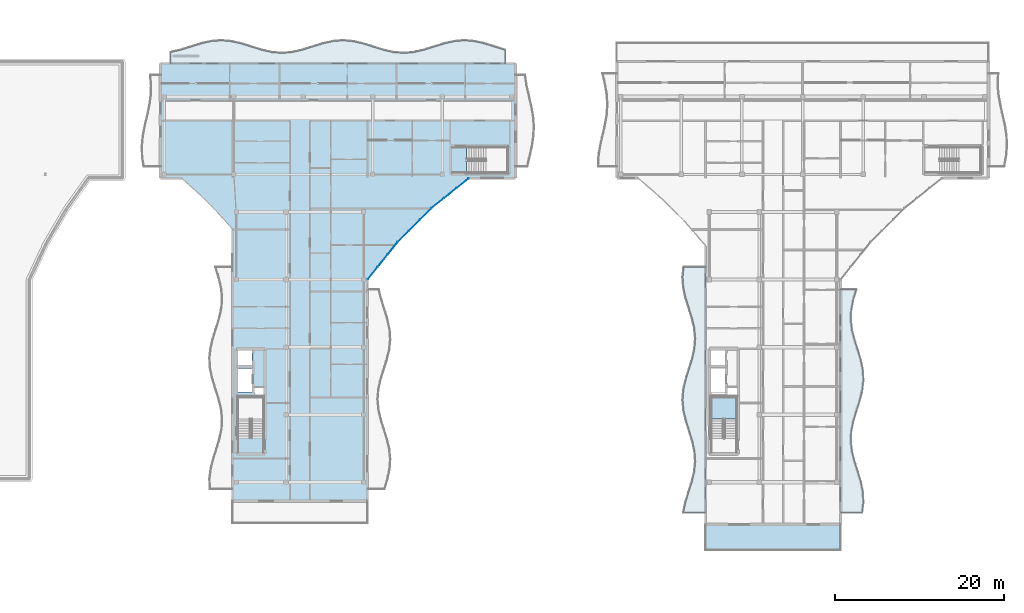
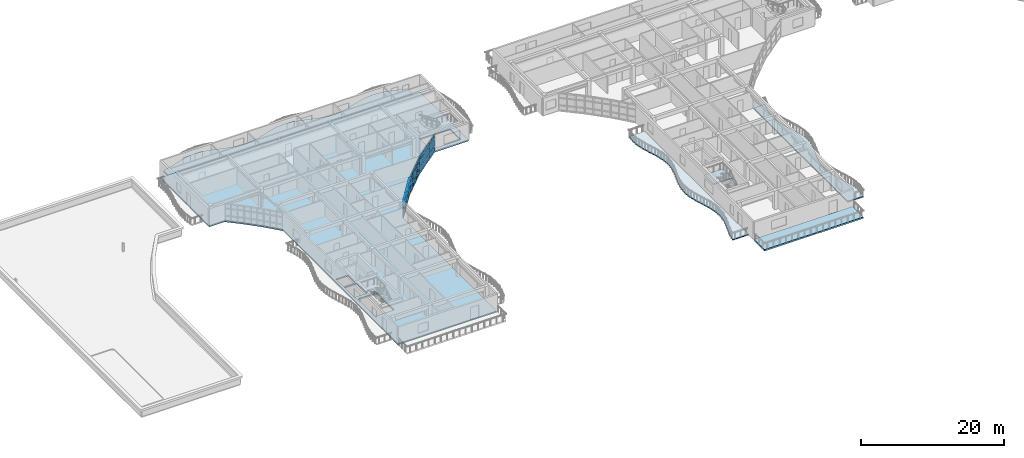
# One storey, part 21 of 54: 27 plates, 6 slabs, 4 elements without a shape of their own.
"""IFC4 building model written with IfcOpenShell, lengths in metres."""

from ifc_helpers import new_model, si_unit, direction, frame, origin, origin_2d, place, context, subcontext, project, spatial, polyline, rectangle, outline, extrude, material, layer, layer_set, type_object, element, aggregate, save


model = new_model("IFC4")

# Units and contexts
model_context = context("Model", 3, precision=1e-05, world=origin(), true_north=direction((0.0, 1.0)))
body_context = subcontext(model_context, "Body", "Model", "MODEL_VIEW")
ifc_project = project(units=[si_unit("LENGTHUNIT", "METRE"), si_unit("AREAUNIT", "SQUARE_METRE"), si_unit("VOLUMEUNIT", "CUBIC_METRE"), si_unit("PLANEANGLEUNIT", "RADIAN"), si_unit("MASSUNIT", "GRAM", prefix="KILO")], contexts=[model_context])

# Site, building, storey
site_placement = place(None, origin())
site = spatial("IfcSite", under=ifc_project, at=site_placement, CompositionType="ELEMENT")
building_placement = place(site_placement, origin())
building = spatial("IfcBuilding", under=site, at=building_placement, Name="Keldmere Railside Commons", CompositionType="ELEMENT")
storey_placement = place(building_placement, frame((0.0, 0.0, 26.56005859375)))
storey = spatial("IfcBuildingStorey", under=building, at=storey_placement, Name="L08", CompositionType="ELEMENT", Elevation=26.56005859375)

# Curtain wall, plates
ifc_material_1 = material(Name="Thermally Broken Aluminium", Category="aluminium")
ifc_layer_1 = layer(ifc_material_1, 0.159912109375, Name="Court Chord Wintergarden CW 4800x2850")
ifc_layer_set_1 = layer_set([ifc_layer_1], Name="Thermally Broken Aluminium")
curtain_wall_type_1 = type_object("IfcCurtainWallType", Name="Court Chord Wintergarden CW 4800x2850", PredefinedType="NOTDEFINED", material=ifc_layer_set_1)
curtain_wall_1_placement = place(storey_placement, origin())
curtain_wall_1 = element("IfcCurtainWall", 1, at=curtain_wall_1_placement, inside=storey, type_object=curtain_wall_type_1, Name="CW-12 CW-L08-073", PredefinedType="NOTDEFINED")
ifc_material_2 = material(Name="Low-E Insulated Double Glazing", Category="glass")
ifc_layer_2 = layer(ifc_material_2, 0.033935546875, Name="Acoustic Laminated Vision Panel 34")
ifc_layer_set_2 = layer_set([ifc_layer_2], Name="Low-E Insulated Double Glazing")
plate_type_1 = type_object("IfcPlateType", Name="Acoustic Laminated Vision Panel 34", PredefinedType="CURTAIN_PANEL", material=ifc_layer_set_2)
plate_1_placement = place(storey_placement, frame((66.951416015625, 91.678955078125, 0.06494140625), z_axis=(0.0, 0.0, 1.0), x_axis=(-0.625768080915, -0.780009172323, 0.0)))
plate_1 = element("IfcPlate", 2, at=plate_1_placement, type_object=plate_type_1, Name="CW-12 panel 1.1", PredefinedType="CURTAIN_PANEL", context=body_context, shape_type="SweptSolid", body=[
    extrude(rectangle(XDim=1.795654296875, YDim=0.033935546875, at=origin_2d()), origin(), (0.0, 0.0, 1.0), 0.802490234375),
])
plate_2_placement = place(storey_placement, frame((66.951416015625, 91.678955078125, 0.932373046875), z_axis=(0.0, 0.0, 1.0), x_axis=(-0.625768080915, -0.780009172323, 0.0)))
plate_2 = element("IfcPlate", 3, at=plate_2_placement, type_object=plate_type_1, Name="CW-12 panel 1.2", PredefinedType="CURTAIN_PANEL", context=body_context, shape_type="SweptSolid", body=[
    extrude(rectangle(XDim=1.795654296875, YDim=0.033935546875, at=origin_2d()), origin(), (0.0, 0.0, 1.0), 1.18505859375),
])
plate_3_placement = place(storey_placement, frame((66.951416015625, 91.678955078125, 2.182373046875), z_axis=(0.0, 0.0, 1.0), x_axis=(-0.625768080915, -0.780009172323, 0.0)))
plate_3 = element("IfcPlate", 4, at=plate_3_placement, type_object=plate_type_1, Name="CW-12 panel 1.3", PredefinedType="CURTAIN_PANEL", context=body_context, shape_type="SweptSolid", body=[
    extrude(rectangle(XDim=1.795654296875, YDim=0.033935546875, at=origin_2d()), origin(), (0.0, 0.0, 1.0), 0.732421875),
])
plate_4_placement = place(storey_placement, frame((65.777099609375, 90.215087890625, 0.06494140625), z_axis=(0.0, 0.0, 1.0), x_axis=(-0.625768080915, -0.780009172323, 0.0)))
plate_4 = element("IfcPlate", 5, at=plate_4_placement, type_object=plate_type_1, Name="CW-12 panel 2.1", PredefinedType="CURTAIN_PANEL", context=body_context, shape_type="SweptSolid", body=[
    extrude(rectangle(XDim=1.828125, YDim=0.033935546875, at=origin_2d()), origin(), (0.0, 0.0, 1.0), 0.802490234375),
])
plate_5_placement = place(storey_placement, frame((65.777099609375, 90.215087890625, 0.932373046875), z_axis=(0.0, 0.0, 1.0), x_axis=(-0.625768080915, -0.780009172323, 0.0)))
plate_5 = element("IfcPlate", 6, at=plate_5_placement, type_object=plate_type_1, Name="CW-12 panel 2.2", PredefinedType="CURTAIN_PANEL", context=body_context, shape_type="SweptSolid", body=[
    extrude(rectangle(XDim=1.828125, YDim=0.033935546875, at=origin_2d()), origin(), (0.0, 0.0, 1.0), 1.18505859375),
])
plate_6_placement = place(storey_placement, frame((65.777099609375, 90.215087890625, 2.182373046875), z_axis=(0.0, 0.0, 1.0), x_axis=(-0.625768080915, -0.780009172323, 0.0)))
plate_6 = element("IfcPlate", 7, at=plate_6_placement, type_object=plate_type_1, Name="CW-12 panel 2.3", PredefinedType="CURTAIN_PANEL", context=body_context, shape_type="SweptSolid", body=[
    extrude(rectangle(XDim=1.828125, YDim=0.033935546875, at=origin_2d()), origin(), (0.0, 0.0, 1.0), 0.732421875),
])
plate_7_placement = place(storey_placement, frame((64.6025390625, 88.7509765625, 0.06494140625), z_axis=(0.0, 0.0, 1.0), x_axis=(-0.625768080915, -0.780009172323, 0.0)))
plate_7 = element("IfcPlate", 8, at=plate_7_placement, type_object=plate_type_1, Name="CW-12 panel 3.1", PredefinedType="CURTAIN_PANEL", context=body_context, shape_type="SweptSolid", body=[
    extrude(rectangle(XDim=1.795654296875, YDim=0.033935546875, at=origin_2d()), origin(), (0.0, 0.0, 1.0), 0.802490234375),
])
plate_8_placement = place(storey_placement, frame((64.6025390625, 88.7509765625, 0.932373046875), z_axis=(0.0, 0.0, 1.0), x_axis=(-0.625768080915, -0.780009172323, 0.0)))
plate_8 = element("IfcPlate", 9, at=plate_8_placement, type_object=plate_type_1, Name="CW-12 panel 3.2", PredefinedType="CURTAIN_PANEL", context=body_context, shape_type="SweptSolid", body=[
    extrude(rectangle(XDim=1.795654296875, YDim=0.033935546875, at=origin_2d()), origin(), (0.0, 0.0, 1.0), 1.18505859375),
])
plate_9_placement = place(storey_placement, frame((64.6025390625, 88.7509765625, 2.182373046875), z_axis=(0.0, 0.0, 1.0), x_axis=(-0.625768080915, -0.780009172323, 0.0)))
plate_9 = element("IfcPlate", 10, at=plate_9_placement, type_object=plate_type_1, Name="CW-12 panel 3.3", PredefinedType="CURTAIN_PANEL", context=body_context, shape_type="SweptSolid", body=[
    extrude(rectangle(XDim=1.795654296875, YDim=0.033935546875, at=origin_2d()), origin(), (0.0, 0.0, 1.0), 0.732421875),
])
aggregate(curtain_wall_1, [plate_1, plate_2, plate_3, plate_4, plate_5, plate_6, plate_7, plate_8, plate_9])

ifc_layer_3 = layer(ifc_material_1, 0.159912109375, Name="Court Chord Wintergarden CW 5400x2850")
ifc_layer_set_3 = layer_set([ifc_layer_3], Name="Thermally Broken Aluminium")
curtain_wall_type_2 = type_object("IfcCurtainWallType", Name="Court Chord Wintergarden CW 5400x2850", PredefinedType="NOTDEFINED", material=ifc_layer_set_3)
curtain_wall_2_placement = place(storey_placement, origin())
curtain_wall_2 = element("IfcCurtainWall", 11, at=curtain_wall_2_placement, inside=storey, type_object=curtain_wall_type_2, Name="CW-13 CW-L08-074", PredefinedType="NOTDEFINED")
ifc_layer_4 = layer(ifc_material_2, 0.031982421875, Name="Clerestory Solar-Control Vision Panel 32")
ifc_layer_set_4 = layer_set([ifc_layer_4], Name="Low-E Insulated Double Glazing")
plate_type_2 = type_object("IfcPlateType", Name="Clerestory Solar-Control Vision Panel 32", PredefinedType="CURTAIN_PANEL", material=ifc_layer_set_4)
plate_10_placement = place(storey_placement, frame((70.88916015625, 95.76513671875, 0.06494140625), z_axis=(0.0, 0.0, 1.0), x_axis=(-0.707106781187, -0.707106781187, 0.0)))
plate_10 = element("IfcPlate", 12, at=plate_10_placement, type_object=plate_type_2, Name="CW-13 panel 1.1", PredefinedType="CURTAIN_PANEL", context=body_context, shape_type="SweptSolid", body=[
    extrude(rectangle(XDim=1.795654296875, YDim=0.031982421875, at=origin_2d()), origin(), (0.0, 0.0, 1.0), 0.802490234375),
])
plate_11_placement = place(storey_placement, frame((70.88916015625, 95.76513671875, 0.932373046875), z_axis=(0.0, 0.0, 1.0), x_axis=(-0.707106781187, -0.707106781187, 0.0)))
plate_11 = element("IfcPlate", 13, at=plate_11_placement, type_object=plate_type_2, Name="CW-13 panel 1.2", PredefinedType="CURTAIN_PANEL", context=body_context, shape_type="SweptSolid", body=[
    extrude(rectangle(XDim=1.795654296875, YDim=0.031982421875, at=origin_2d()), origin(), (0.0, 0.0, 1.0), 1.18505859375),
])
plate_12_placement = place(storey_placement, frame((70.88916015625, 95.76513671875, 2.182373046875), z_axis=(0.0, 0.0, 1.0), x_axis=(-0.707106781187, -0.707106781187, 0.0)))
plate_12 = element("IfcPlate", 14, at=plate_12_placement, type_object=plate_type_2, Name="CW-13 panel 1.3", PredefinedType="CURTAIN_PANEL", context=body_context, shape_type="SweptSolid", body=[
    extrude(rectangle(XDim=1.795654296875, YDim=0.031982421875, at=origin_2d()), origin(), (0.0, 0.0, 1.0), 0.732421875),
])
plate_13_placement = place(storey_placement, frame((69.56201171875, 94.43798828125, 0.06494140625), z_axis=(0.0, 0.0, 1.0), x_axis=(-0.707106781187, -0.707106781187, 0.0)))
plate_13 = element("IfcPlate", 15, at=plate_13_placement, type_object=plate_type_2, Name="CW-13 panel 2.1", PredefinedType="CURTAIN_PANEL", context=body_context, shape_type="SweptSolid", body=[
    extrude(rectangle(XDim=1.828125, YDim=0.031982421875, at=origin_2d()), origin(), (0.0, 0.0, 1.0), 0.802490234375),
])
plate_14_placement = place(storey_placement, frame((69.56201171875, 94.43798828125, 0.932373046875), z_axis=(0.0, 0.0, 1.0), x_axis=(-0.707106781187, -0.707106781187, 0.0)))
plate_14 = element("IfcPlate", 16, at=plate_14_placement, type_object=plate_type_2, Name="CW-13 panel 2.2", PredefinedType="CURTAIN_PANEL", context=body_context, shape_type="SweptSolid", body=[
    extrude(rectangle(XDim=1.828125, YDim=0.031982421875, at=origin_2d()), origin(), (0.0, 0.0, 1.0), 1.18505859375),
])
plate_15_placement = place(storey_placement, frame((69.56201171875, 94.43798828125, 2.182373046875), z_axis=(0.0, 0.0, 1.0), x_axis=(-0.707106781187, -0.707106781187, 0.0)))
plate_15 = element("IfcPlate", 17, at=plate_15_placement, type_object=plate_type_2, Name="CW-13 panel 2.3", PredefinedType="CURTAIN_PANEL", context=body_context, shape_type="SweptSolid", body=[
    extrude(rectangle(XDim=1.828125, YDim=0.031982421875, at=origin_2d()), origin(), (0.0, 0.0, 1.0), 0.732421875),
])
plate_16_placement = place(storey_placement, frame((68.23486328125, 93.11083984375, 0.06494140625), z_axis=(0.0, 0.0, 1.0), x_axis=(-0.707106781187, -0.707106781187, 0.0)))
plate_16 = element("IfcPlate", 18, at=plate_16_placement, type_object=plate_type_2, Name="CW-13 panel 3.1", PredefinedType="CURTAIN_PANEL", context=body_context, shape_type="SweptSolid", body=[
    extrude(rectangle(XDim=1.795654296875, YDim=0.031982421875, at=origin_2d()), origin(), (0.0, 0.0, 1.0), 0.802490234375),
])
plate_17_placement = place(storey_placement, frame((68.23486328125, 93.11083984375, 0.932373046875), z_axis=(0.0, 0.0, 1.0), x_axis=(-0.707106781187, -0.707106781187, 0.0)))
plate_17 = element("IfcPlate", 19, at=plate_17_placement, type_object=plate_type_2, Name="CW-13 panel 3.2", PredefinedType="CURTAIN_PANEL", context=body_context, shape_type="SweptSolid", body=[
    extrude(rectangle(XDim=1.795654296875, YDim=0.031982421875, at=origin_2d()), origin(), (0.0, 0.0, 1.0), 1.18505859375),
])
plate_18_placement = place(storey_placement, frame((68.23486328125, 93.11083984375, 2.182373046875), z_axis=(0.0, 0.0, 1.0), x_axis=(-0.707106781187, -0.707106781187, 0.0)))
plate_18 = element("IfcPlate", 20, at=plate_18_placement, type_object=plate_type_2, Name="CW-13 panel 3.3", PredefinedType="CURTAIN_PANEL", context=body_context, shape_type="SweptSolid", body=[
    extrude(rectangle(XDim=1.795654296875, YDim=0.031982421875, at=origin_2d()), origin(), (0.0, 0.0, 1.0), 0.732421875),
])
aggregate(curtain_wall_2, [plate_10, plate_11, plate_12, plate_13, plate_14, plate_15, plate_16, plate_17, plate_18])

# Stair, slab
ifc_material_3 = material(Name="Concrete H-30 (C30/37)", Category="concrete")
stair_type = type_object("IfcStairType", Name="Basement Garage Dogleg Escape Stair 1450", PredefinedType="HALF_TURN_STAIR", material=ifc_material_3)
stair_placement = place(storey_placement, origin())
stair = element("IfcStair", 21, at=stair_placement, inside=storey, type_object=stair_type, Name="L08 Block B Primary Escape Stair 1", PredefinedType="HALF_TURN_STAIR")
ifc_layer_5 = layer(ifc_material_3, 0.199951171875, Name="Enclosed Stair Landing Slab 200")
ifc_layer_set_5 = layer_set([ifc_layer_5], Name="Concrete H-30 (C30/37)")
slab_type_1 = type_object("IfcSlabType", Name="Enclosed Stair Landing Slab 200", PredefinedType="LANDING", material=ifc_layer_set_5)
slab_1_placement = place(storey_placement, frame((0.0, 0.0, 1.39990234375)))
slab_1 = element("IfcSlab", 22, at=slab_1_placement, type_object=slab_type_1, Name="ST-B1 landing 1", PredefinedType="LANDING", context=body_context, shape_type="SweptSolid", body=[
    extrude(outline(polyline([(107.699951171875, 71.52001953125), (107.699951171875, 74.10009765625), (104.64990234375, 74.10009765625), (104.64990234375, 71.52001953125), (107.699951171875, 71.52001953125)])), origin(), (0.0, 0.0, 1.0), 0.199951171875),
])
aggregate(stair, [slab_1])

# Curtain wall, plates
curtain_wall_3_placement = place(storey_placement, origin())
curtain_wall_3 = element("IfcCurtainWall", 23, at=curtain_wall_3_placement, inside=storey, type_object=curtain_wall_type_1, Name="CW-12 CW-L08-075", PredefinedType="NOTDEFINED")
ifc_layer_6 = layer(ifc_material_2, 0.028076171875, Name="Low-E Vision Glazing Panel 28")
ifc_layer_set_6 = layer_set([ifc_layer_6], Name="Low-E Insulated Double Glazing")
plate_type_3 = type_object("IfcPlateType", Name="Low-E Vision Glazing Panel 28", PredefinedType="CURTAIN_PANEL", material=ifc_layer_set_6)
plate_19_placement = place(storey_placement, frame((75.2490234375, 99.3974609375, 0.06494140625), z_axis=(0.0, 0.0, 1.0), x_axis=(-0.780009172323, -0.625768080915, 0.0)))
plate_19 = element("IfcPlate", 24, at=plate_19_placement, type_object=plate_type_3, Name="CW-12 panel 1.1", PredefinedType="CURTAIN_PANEL", context=body_context, shape_type="SweptSolid", body=[
    extrude(rectangle(XDim=1.795654296875, YDim=0.028076171875, at=origin_2d()), origin(), (0.0, 0.0, 1.0), 0.802490234375),
])
plate_20_placement = place(storey_placement, frame((75.2490234375, 99.3974609375, 0.932373046875), z_axis=(0.0, 0.0, 1.0), x_axis=(-0.780009172323, -0.625768080915, 0.0)))
plate_20 = element("IfcPlate", 25, at=plate_20_placement, type_object=plate_type_3, Name="CW-12 panel 1.2", PredefinedType="CURTAIN_PANEL", context=body_context, shape_type="SweptSolid", body=[
    extrude(rectangle(XDim=1.795654296875, YDim=0.028076171875, at=origin_2d()), origin(), (0.0, 0.0, 1.0), 1.18505859375),
])
plate_21_placement = place(storey_placement, frame((75.2490234375, 99.3974609375, 2.182373046875), z_axis=(0.0, 0.0, 1.0), x_axis=(-0.780009172323, -0.625768080915, 0.0)))
plate_21 = element("IfcPlate", 26, at=plate_21_placement, type_object=plate_type_3, Name="CW-12 panel 1.3", PredefinedType="CURTAIN_PANEL", context=body_context, shape_type="SweptSolid", body=[
    extrude(rectangle(XDim=1.795654296875, YDim=0.028076171875, at=origin_2d()), origin(), (0.0, 0.0, 1.0), 0.732421875),
])
plate_22_placement = place(storey_placement, frame((73.784912109375, 98.222900390625, 0.06494140625), z_axis=(0.0, 0.0, 1.0), x_axis=(-0.780009172323, -0.625768080915, 0.0)))
plate_22 = element("IfcPlate", 27, at=plate_22_placement, type_object=plate_type_3, Name="CW-12 panel 2.1", PredefinedType="CURTAIN_PANEL", context=body_context, shape_type="SweptSolid", body=[
    extrude(rectangle(XDim=1.828125, YDim=0.028076171875, at=origin_2d()), origin(), (0.0, 0.0, 1.0), 0.802490234375),
])
plate_23_placement = place(storey_placement, frame((73.784912109375, 98.222900390625, 0.932373046875), z_axis=(0.0, 0.0, 1.0), x_axis=(-0.780009172323, -0.625768080915, 0.0)))
plate_23 = element("IfcPlate", 28, at=plate_23_placement, type_object=plate_type_3, Name="CW-12 panel 2.2", PredefinedType="CURTAIN_PANEL", context=body_context, shape_type="SweptSolid", body=[
    extrude(rectangle(XDim=1.828125, YDim=0.028076171875, at=origin_2d()), origin(), (0.0, 0.0, 1.0), 1.18505859375),
])
plate_24_placement = place(storey_placement, frame((73.784912109375, 98.222900390625, 2.182373046875), z_axis=(0.0, 0.0, 1.0), x_axis=(-0.780009172323, -0.625768080915, 0.0)))
plate_24 = element("IfcPlate", 29, at=plate_24_placement, type_object=plate_type_3, Name="CW-12 panel 2.3", PredefinedType="CURTAIN_PANEL", context=body_context, shape_type="SweptSolid", body=[
    extrude(rectangle(XDim=1.828125, YDim=0.028076171875, at=origin_2d()), origin(), (0.0, 0.0, 1.0), 0.732421875),
])
plate_25_placement = place(storey_placement, frame((72.321044921875, 97.048583984375, 0.06494140625), z_axis=(0.0, 0.0, 1.0), x_axis=(-0.780009172323, -0.625768080915, 0.0)))
plate_25 = element("IfcPlate", 30, at=plate_25_placement, type_object=plate_type_3, Name="CW-12 panel 3.1", PredefinedType="CURTAIN_PANEL", context=body_context, shape_type="SweptSolid", body=[
    extrude(rectangle(XDim=1.795654296875, YDim=0.028076171875, at=origin_2d()), origin(), (0.0, 0.0, 1.0), 0.802490234375),
])
plate_26_placement = place(storey_placement, frame((72.321044921875, 97.048583984375, 0.932373046875), z_axis=(0.0, 0.0, 1.0), x_axis=(-0.780009172323, -0.625768080915, 0.0)))
plate_26 = element("IfcPlate", 31, at=plate_26_placement, type_object=plate_type_3, Name="CW-12 panel 3.2", PredefinedType="CURTAIN_PANEL", context=body_context, shape_type="SweptSolid", body=[
    extrude(rectangle(XDim=1.795654296875, YDim=0.028076171875, at=origin_2d()), origin(), (0.0, 0.0, 1.0), 1.18505859375),
])
plate_27_placement = place(storey_placement, frame((72.321044921875, 97.048583984375, 2.182373046875), z_axis=(0.0, 0.0, 1.0), x_axis=(-0.780009172323, -0.625768080915, 0.0)))
plate_27 = element("IfcPlate", 32, at=plate_27_placement, type_object=plate_type_3, Name="CW-12 panel 3.3", PredefinedType="CURTAIN_PANEL", context=body_context, shape_type="SweptSolid", body=[
    extrude(rectangle(XDim=1.795654296875, YDim=0.028076171875, at=origin_2d()), origin(), (0.0, 0.0, 1.0), 0.732421875),
])
aggregate(curtain_wall_3, [plate_19, plate_20, plate_21, plate_22, plate_23, plate_24, plate_25, plate_26, plate_27])

# Slabs
ifc_material_4 = material(Name="Concrete H-35 (C35/45)", Category="concrete")
ifc_layer_7 = layer(ifc_material_4, 0.25, Name="Planted Terrace Roof Slab 250")
ifc_layer_set_7 = layer_set([ifc_layer_7], Name="Concrete H-35 (C35/45)")
slab_type_2 = type_object("IfcSlabType", Name="Planted Terrace Roof Slab 250", PredefinedType="ROOF", material=ifc_layer_set_7)
slab_2_placement = place(storey_placement, frame((0.0, 0.0, -0.25)))
element("IfcSlab", 33, at=slab_2_placement, inside=storey, type_object=slab_type_2, Name="RT-1 TERRB-L08-045", PredefinedType="ROOF", context=body_context, shape_type="SweptSolid", body=[
    extrude(outline(polyline([(120.0, 56.0), (120.0, 58.989990234375), (104.0, 58.989990234375), (104.0, 56.0), (120.0, 56.0)])), origin(), (0.0, 0.0, 1.0), 0.25),
])
ifc_layer_8 = layer(ifc_material_3, 0.219970703125, Name="Residential Flat Slab 220")
ifc_layer_set_8 = layer_set([ifc_layer_8], Name="Concrete H-30 (C30/37)")
slab_type_3 = type_object("IfcSlabType", Name="Residential Flat Slab 220", PredefinedType="FLOOR", material=ifc_layer_set_8)
slab_3_placement = place(storey_placement, frame((0.0, 0.0, -0.219970703125)))
element("IfcSlab", 34, at=slab_3_placement, inside=storey, type_object=slab_type_3, Name="FS-2 BLKC-L08-030", PredefinedType="FLOOR", context=body_context, shape_type="SweptSolid", body=[
    extrude(outline(polyline([(48.0, 61.800048828125), (64.0, 61.800048828125), (64.0, 88.0), (67.553955078125, 92.429931640625), (71.570068359375, 96.446044921875), (76.0, 100.0), (81.5, 100.0), (81.5, 113.60009765625), (39.5, 113.60009765625), (39.5, 100.0), (42.0, 100.0), (44.10791015625, 98.110107421875), (46.110107421875, 96.10791015625), (48.0, 94.0), (48.0, 61.800048828125)]), holes=[polyline([(51.675048828125, 74.074951171875), (51.675048828125, 69.22509765625), (48.675048828125, 69.22509765625), (48.675048828125, 74.074951171875), (51.675048828125, 74.074951171875)]), polyline([(51.699951171875, 74.419921875), (50.60009765625, 74.419921875), (50.60009765625, 75.159912109375), (51.699951171875, 75.159912109375), (51.699951171875, 74.419921875)]), polyline([(50.39990234375, 74.699951171875), (48.39990234375, 74.699951171875), (48.39990234375, 77.5), (50.39990234375, 77.5), (50.39990234375, 74.699951171875)]), polyline([(50.300048828125, 77.75), (48.39990234375, 77.75), (48.39990234375, 79.800048828125), (50.300048828125, 79.800048828125), (50.300048828125, 77.75)]), polyline([(75.72509765625, 100.625), (75.72509765625, 103.625), (80.574951171875, 103.625), (80.574951171875, 100.625), (75.72509765625, 100.625)])]), origin(), (0.0, 0.0, 1.0), 0.219970703125),
])
ifc_material_5 = material(Name="White Precast Concrete H-35 (C35/45)", Category="concrete")
ifc_layer_9 = layer(ifc_material_5, 0.179931640625, Name="Sinusoidal Wave Balcony Slab 180")
ifc_layer_set_9 = layer_set([ifc_layer_9], Name="White Precast Concrete H-35 (C35/45)")
slab_type_4 = type_object("IfcSlabType", Name="Sinusoidal Wave Balcony Slab 180", PredefinedType="FLOOR", material=ifc_layer_set_9)
slab_4_placement = place(storey_placement, frame((0.0, 0.0, -0.18017578125)))
element("IfcSlab", 35, at=slab_4_placement, inside=storey, type_object=slab_type_4, Name="WB-1 C L08 N Wave Balcony", PredefinedType="FLOOR", context=body_context, shape_type="SweptSolid", body=[
    extrude(outline(polyline([(40.699951171875, 113.60009765625), (41.89990234375, 113.60009765625), (43.10009765625, 113.60009765625), (44.300048828125, 113.60009765625), (45.5, 113.60009765625), (46.699951171875, 113.60009765625), (47.89990234375, 113.60009765625), (49.10009765625, 113.60009765625), (50.300048828125, 113.60009765625), (51.5, 113.60009765625), (52.699951171875, 113.60009765625), (53.89990234375, 113.60009765625), (55.10009765625, 113.60009765625), (56.300048828125, 113.60009765625), (57.5, 113.60009765625), (58.699951171875, 113.60009765625), (59.89990234375, 113.60009765625), (61.10009765625, 113.60009765625), (62.300048828125, 113.60009765625), (63.5, 113.60009765625), (64.699951171875, 113.60009765625), (65.89990234375, 113.60009765625), (67.10009765625, 113.60009765625), (68.300048828125, 113.60009765625), (69.5, 113.60009765625), (70.699951171875, 113.60009765625), (71.89990234375, 113.60009765625), (73.10009765625, 113.60009765625), (74.300048828125, 113.60009765625), (75.5, 113.60009765625), (76.699951171875, 113.60009765625), (77.89990234375, 113.60009765625), (79.10009765625, 113.60009765625), (80.300048828125, 113.60009765625), (80.300048828125, 115.166015625), (79.10009765625, 115.53955078125), (77.89990234375, 115.916015625), (76.699951171875, 116.194091796875), (75.5, 116.2998046875), (74.300048828125, 116.20458984375), (73.10009765625, 115.93408203125), (71.89990234375, 115.560546875), (70.699951171875, 115.18408203125), (69.5, 114.90576171875), (68.300048828125, 114.800048828125), (67.10009765625, 114.895263671875), (65.89990234375, 115.166015625), (64.699951171875, 115.53955078125), (63.5, 115.916015625), (62.300048828125, 116.194091796875), (61.10009765625, 116.2998046875), (59.89990234375, 116.20458984375), (58.699951171875, 115.93408203125), (57.5, 115.560546875), (56.300048828125, 115.18408203125), (55.10009765625, 114.90576171875), (53.89990234375, 114.800048828125), (52.699951171875, 114.895263671875), (51.5, 115.166015625), (50.300048828125, 115.53955078125), (49.10009765625, 115.916015625), (47.89990234375, 116.194091796875), (46.699951171875, 116.2998046875), (45.5, 116.20458984375), (44.300048828125, 115.93408203125), (43.10009765625, 115.560546875), (41.89990234375, 115.18408203125), (40.699951171875, 114.90576171875), (40.699951171875, 113.60009765625)])), origin(), (0.0, 0.0, 1.0), 0.18017578125),
])
slab_5_placement = place(storey_placement, frame((0.0, 0.0, -0.18017578125)))
element("IfcSlab", 36, at=slab_5_placement, inside=storey, type_object=slab_type_4, Name="WB-1 B L08 CE Wave Balcony", PredefinedType="FLOOR", context=body_context, shape_type="SweptSolid", body=[
    extrude(outline(polyline([(122.54541015625, 60.39990234375), (122.693603515625, 61.60009765625), (122.642822265625, 62.800048828125), (122.40625, 64.0), (122.047607421875, 65.199951171875), (121.66259765625, 66.39990234375), (121.354736328125, 67.60009765625), (121.206298828125, 68.800048828125), (121.257080078125, 70.0), (121.49365234375, 71.199951171875), (121.8525390625, 72.39990234375), (122.2373046875, 73.60009765625), (122.54541015625, 74.800048828125), (122.693603515625, 76.0), (122.642822265625, 77.199951171875), (122.40625, 78.39990234375), (122.047607421875, 79.60009765625), (121.66259765625, 80.800048828125), (121.354736328125, 82.0), (121.206298828125, 83.199951171875), (121.257080078125, 84.39990234375), (121.49365234375, 85.60009765625), (121.8525390625, 86.800048828125), (120.0, 86.800048828125), (120.0, 85.60009765625), (120.0, 84.39990234375), (120.0, 83.199951171875), (120.0, 82.0), (120.0, 80.800048828125), (120.0, 79.60009765625), (120.0, 78.39990234375), (120.0, 77.199951171875), (120.0, 76.0), (120.0, 74.800048828125), (120.0, 73.60009765625), (120.0, 72.39990234375), (120.0, 71.199951171875), (120.0, 70.0), (120.0, 68.800048828125), (120.0, 67.60009765625), (120.0, 66.39990234375), (120.0, 65.199951171875), (120.0, 64.0), (120.0, 62.800048828125), (120.0, 61.60009765625), (120.0, 60.39990234375), (122.54541015625, 60.39990234375)])), origin(), (0.0, 0.0, 1.0), 0.18017578125),
])
slab_6_placement = place(storey_placement, frame((0.0, 0.0, -0.18017578125)))
element("IfcSlab", 37, at=slab_6_placement, inside=storey, type_object=slab_type_4, Name="WB-1 B L08 CW Wave Balcony", PredefinedType="FLOOR", context=body_context, shape_type="SweptSolid", body=[
    extrude(outline(polyline([(104.0, 60.39990234375), (104.0, 61.612548828125), (104.0, 62.824951171875), (104.0, 64.03759765625), (104.0, 65.25), (104.0, 66.46240234375), (104.0, 67.675048828125), (104.0, 68.887451171875), (104.0, 70.10009765625), (104.0, 71.3125), (104.0, 72.52490234375), (104.0, 73.737548828125), (104.0, 74.949951171875), (104.0, 76.16259765625), (104.0, 77.375), (104.0, 78.58740234375), (104.0, 79.800048828125), (104.0, 81.012451171875), (104.0, 82.22509765625), (104.0, 83.4375), (104.0, 84.64990234375), (104.0, 85.862548828125), (104.0, 87.074951171875), (104.0, 88.28759765625), (104.0, 89.5), (101.42138671875, 89.5), (101.30078125, 88.28759765625), (101.38525390625, 87.074951171875), (101.6513671875, 85.862548828125), (102.0263671875, 84.64990234375), (102.407958984375, 83.4375), (102.691650390625, 82.22509765625), (102.7998046875, 81.012451171875), (102.703125, 79.800048828125), (102.427734375, 78.58740234375), (102.049072265625, 77.375), (101.670654296875, 76.16259765625), (101.39599609375, 74.949951171875), (101.300048828125, 73.737548828125), (101.4091796875, 72.52490234375), (101.693603515625, 71.3125), (102.075439453125, 70.10009765625), (102.4501953125, 68.887451171875), (102.7158203125, 67.675048828125), (102.799072265625, 66.46240234375), (102.677490234375, 65.25), (102.384521484375, 64.03759765625), (102.0, 62.824951171875), (101.629150390625, 61.612548828125), (101.373291015625, 60.39990234375), (104.0, 60.39990234375)])), origin(), (0.0, 0.0, 1.0), 0.18017578125),
])

save(model, "model.ifc")
